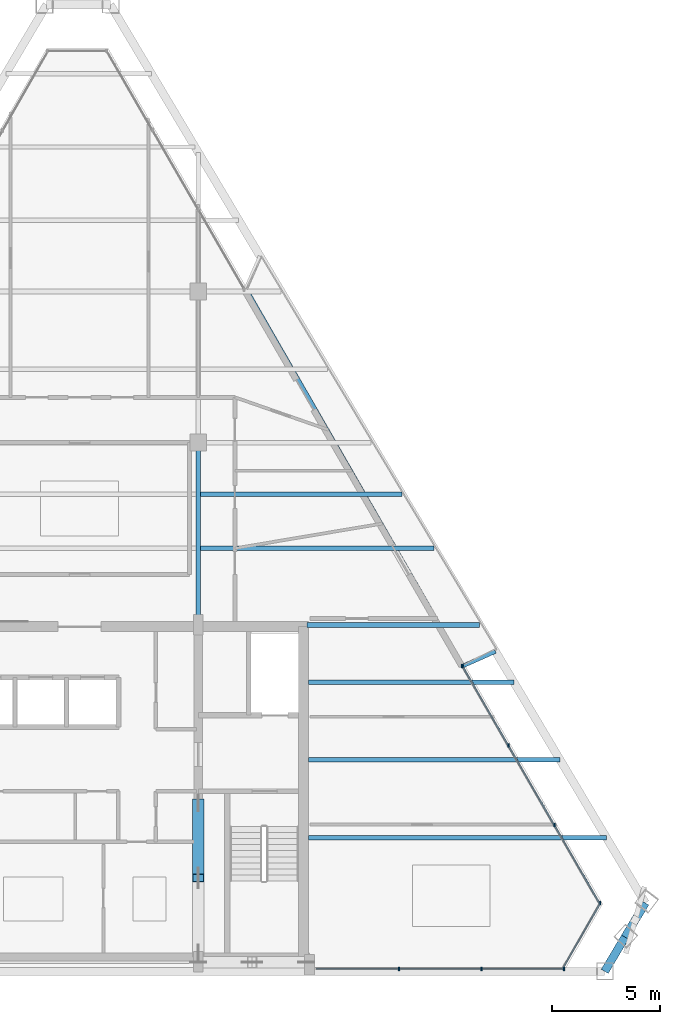
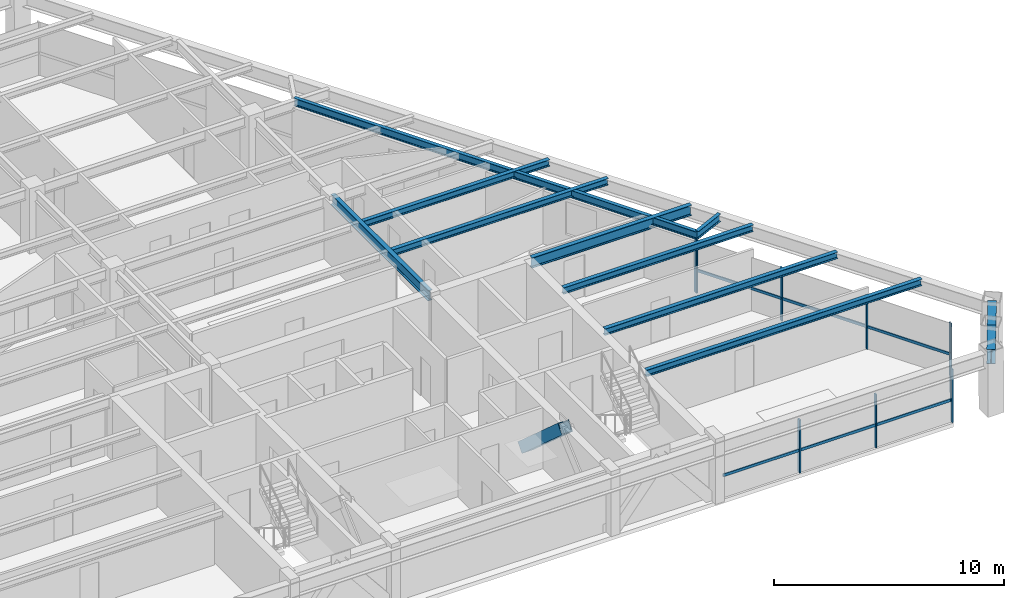
# One storey, part 5 of 13: 16 members, 11 beams, 3 elements without a shape of their own.
"""IFC4 building model written with IfcOpenShell, lengths in metres."""

from ifc_helpers import new_model, si_unit, direction, frame, origin, origin_2d, place, context, subcontext, project, spatial, rectangle, hollow_rectangle, i_section, extrude, source, transform, mapped, material, material_profile, profile_set, type_object, type_shapes, element, aggregate, save


model = new_model("IFC4")

# Units and contexts
model_context = context("Model", 3, precision=1e-05, world=origin(), true_north=direction((0.0, 1.0)))
body_context = subcontext(model_context, "Body", "Model", "MODEL_VIEW")
ifc_project = project(units=[si_unit("LENGTHUNIT", "METRE"), si_unit("AREAUNIT", "SQUARE_METRE"), si_unit("VOLUMEUNIT", "CUBIC_METRE"), si_unit("PLANEANGLEUNIT", "RADIAN"), si_unit("MASSUNIT", "GRAM", prefix="KILO")], contexts=[model_context])

# Site, building, storey
site_placement = place(None, origin())
site = spatial("IfcSite", under=ifc_project, at=site_placement, CompositionType="ELEMENT")
building_placement = place(site_placement, origin())
building = spatial("IfcBuilding", under=site, at=building_placement, Name="Varnakhor Terracotta Tower", CompositionType="ELEMENT")
storey_placement = place(building_placement, frame((0.0, 0.0, 293.699951171875)))
storey = spatial("IfcBuildingStorey", under=building, at=storey_placement, Name="L77", CompositionType="ELEMENT", Elevation=293.699951171875)

# Beam
ifc_material_1 = material(Name="Steel S355", Category="steel")
ifc_material_profile_1 = material_profile(ifc_material_1, i_section(OverallWidth=0.214111328125, OverallDepth=0.549072265625, WebThickness=0.014892578125, FlangeThickness=0.02392578125, FilletRadius=0.01806640625, at=origin_2d()), Name="W21X93")
ifc_profile_set_1 = profile_set([ifc_material_profile_1], Name="Steel S355")
beam_type_1 = type_object("IfcBeamType", Name="BM-W21X93", PredefinedType="BEAM", material=ifc_profile_set_1)
shared_shape_1 = source(origin(), body_context, "Body", "SweptSolid", [
    extrude(i_section(OverallWidth=0.214111328125, OverallDepth=0.549072265625, WebThickness=0.014892578125, FlangeThickness=0.02392578125, FilletRadius=0.01806640625, at=origin_2d()), origin(), (0.0, 0.0, 1.0), 8.449951171875),
])
type_shapes(beam_type_1, [shared_shape_1])
beam_1_placement = place(storey_placement, frame((5.5, 16.050048828125, 2.965576171875), z_axis=(0.0, 1.0, 0.0), x_axis=(-1.0, 0.0, 0.0)))
element("IfcBeam", 1, at=beam_1_placement, inside=storey, type_object=beam_type_1, Name="L77 Primary Girder NS1-E", PredefinedType="BEAM", context=body_context, shape_type="MappedRepresentation", body=[
    mapped(shared_shape_1, transform((0.0, 0.0, 0.0), scale=1.0)),
])

# Member
ifc_material_profile_2 = material_profile(ifc_material_1, hollow_rectangle(XDim=0.550048828125, YDim=0.550048828125, WallThickness=0.034912109375, at=origin_2d()), Name="HSS550X550X35")
ifc_profile_set_2 = profile_set([ifc_material_profile_2], Name="Steel S355")
member_type_1 = type_object("IfcMemberType", Name="MBR-MEGA-550", PredefinedType="BRACE", material=ifc_profile_set_2)
shared_shape_2 = source(origin(), body_context, "Body", "SweptSolid", [
    extrude(hollow_rectangle(XDim=0.550048828125, YDim=0.550048828125, WallThickness=0.034912109375, at=origin_2d()), origin(), (0.0, 0.0, 1.0), 4.650146484375),
])
member_1_placement = place(storey_placement, frame((5.5, 7.800048828125, 0.0), z_axis=(0.0, -0.74729054724, 0.664497432655), x_axis=(1.0, 0.0, 0.0)))
element("IfcMember", 2, at=member_1_placement, inside=storey, type_object=member_type_1, Name="L77 Core Coupled Brace CWEB", PredefinedType="BRACE", context=body_context, shape_type="MappedRepresentation", body=[
    mapped(shared_shape_2, transform((0.0, 0.0, 0.0), scale=1.0)),
])

# Beams
ifc_material_profile_3 = material_profile(ifc_material_1, i_section(OverallWidth=0.381103515625, OverallDepth=0.77294921875, WebThickness=0.01708984375, FlangeThickness=0.027099609375, FilletRadius=0.01806640625, at=origin_2d()), Name="W30X173")
ifc_profile_set_3 = profile_set([ifc_material_profile_3], Name="Steel S355")
beam_type_2 = type_object("IfcBeamType", Name="BM-W30X173", PredefinedType="BEAM", material=ifc_profile_set_3)
shared_shape_3 = source(origin(), body_context, "Body", "SweptSolid", [
    extrude(i_section(OverallWidth=0.381103515625, OverallDepth=0.77294921875, WebThickness=0.01708984375, FlangeThickness=0.027099609375, FilletRadius=0.01806640625, at=origin_2d()), origin(), (0.0, 0.0, 1.0), 1.8427734375),
])
beam_2_placement = place(storey_placement, frame((24.33349609375, 0.0, 2.853515625), z_axis=(0.5103397709, 0.859972859012, 0.0), x_axis=(-0.859972859012, 0.5103397709, 0.0)))
element("IfcBeam", 3, at=beam_2_placement, inside=storey, type_object=beam_type_2, Name="L77 Perimeter Spandrel 2", PredefinedType="BEAM", context=body_context, shape_type="MappedRepresentation", body=[
    mapped(shared_shape_3, transform((0.0, 0.0, 0.0), scale=1.0)),
])
shared_shape_4 = source(origin(), body_context, "Body", "SweptSolid", [
    extrude(i_section(OverallWidth=0.381103515625, OverallDepth=0.77294921875, WebThickness=0.01708984375, FlangeThickness=0.027099609375, FilletRadius=0.01806640625, at=origin_2d()), origin(), (0.0, 0.0, 1.0), 1.842529296875),
])
beam_3_placement = place(storey_placement, frame((25.27392578125, 1.584716796875, 2.853515625), z_axis=(0.510299927607, 0.859996502251, 0.0), x_axis=(-0.859996502251, 0.510299927607, 0.0)))
element("IfcBeam", 4, at=beam_3_placement, inside=storey, type_object=beam_type_2, Name="L77 Perimeter Spandrel 3", PredefinedType="BEAM", context=body_context, shape_type="MappedRepresentation", body=[
    mapped(shared_shape_4, transform((0.0, 0.0, 0.0), scale=1.0)),
])
ifc_material_profile_4 = material_profile(ifc_material_1, i_section(OverallWidth=0.179931640625, OverallDepth=0.39990234375, WebThickness=0.008544921875, FlangeThickness=0.013427734375, FilletRadius=0.01806640625, at=origin_2d()), Name="IPE400")
ifc_profile_set_4 = profile_set([ifc_material_profile_4], Name="Steel S355")
beam_type_3 = type_object("IfcBeamType", Name="JST-IPE400", PredefinedType="JOIST", material=ifc_profile_set_4)
shared_shape_5 = source(origin(), body_context, "Body", "SweptSolid", [
    extrude(i_section(OverallWidth=0.179931640625, OverallDepth=0.39990234375, WebThickness=0.008544921875, FlangeThickness=0.013427734375, FilletRadius=0.01806640625, at=origin_2d()), origin(), (0.0, 0.0, 1.0), 20.1669921875),
])
beam_4_placement = place(storey_placement, frame((17.7626953125, 14.149658203125, 3.0400390625), z_axis=(-0.498604857305, 0.866829392829, 0.0), x_axis=(-0.866829392829, -0.498604857305, 0.0)))
element("IfcBeam", 5, at=beam_4_placement, inside=storey, type_object=beam_type_3, Name="L77 Loggia Edge Beam 1", PredefinedType="JOIST", context=body_context, shape_type="MappedRepresentation", body=[
    mapped(shared_shape_5, transform((0.0, 0.0, 0.0), scale=1.0)),
])
shared_shape_6 = source(origin(), body_context, "Body", "SweptSolid", [
    extrude(i_section(OverallWidth=0.214111328125, OverallDepth=0.549072265625, WebThickness=0.014892578125, FlangeThickness=0.02392578125, FilletRadius=0.01806640625, at=origin_2d()), origin(), (0.0, 0.0, 1.0), 7.99267578125),
])
beam_5_placement = place(storey_placement, frame((10.550048828125, 16.050048828125, 2.965576171875), z_axis=(1.0, 0.0, 0.0), x_axis=(0.0, 1.0, 0.0)))
element("IfcBeam", 6, at=beam_5_placement, inside=storey, type_object=beam_type_1, Name="L77 Wing Girder E", PredefinedType="BEAM", context=body_context, shape_type="MappedRepresentation", body=[
    mapped(shared_shape_6, transform((0.0, 0.0, 0.0), scale=1.0)),
])
ifc_material_profile_5 = material_profile(ifc_material_1, i_section(OverallWidth=0.202880859375, OverallDepth=0.346923828125, WebThickness=0.0078125, FlangeThickness=0.013427734375, FilletRadius=0.01806640625, at=origin_2d()), Name="W14X43")
ifc_profile_set_5 = profile_set([ifc_material_profile_5], Name="Steel S355")
beam_type_4 = type_object("IfcBeamType", Name="JST-W14X43", PredefinedType="JOIST", material=ifc_profile_set_5)
shared_shape_7 = source(origin(), body_context, "Body", "SweptSolid", [
    extrude(i_section(OverallWidth=0.202880859375, OverallDepth=0.346923828125, WebThickness=0.0078125, FlangeThickness=0.013427734375, FilletRadius=0.01806640625, at=origin_2d()), origin(), (0.0, 0.0, 1.0), 13.80908203125),
])
beam_6_placement = place(storey_placement, frame((10.60009765625, 6.199951171875, 3.066650390625), z_axis=(1.0, 0.0, 0.0), x_axis=(0.0, 1.0, 0.0)))
element("IfcBeam", 7, at=beam_6_placement, inside=storey, type_object=beam_type_4, Name="L77 Floor Joist E1", PredefinedType="JOIST", context=body_context, shape_type="MappedRepresentation", body=[
    mapped(shared_shape_7, transform((0.0, 0.0, 0.0), scale=1.0)),
])
shared_shape_8 = source(origin(), body_context, "Body", "SweptSolid", [
    extrude(i_section(OverallWidth=0.202880859375, OverallDepth=0.346923828125, WebThickness=0.0078125, FlangeThickness=0.013427734375, FilletRadius=0.01806640625, at=origin_2d()), origin(), (0.0, 0.0, 1.0), 11.6650390625),
])
beam_7_placement = place(storey_placement, frame((10.60009765625, 9.800048828125, 3.066650390625), z_axis=(1.0, 0.0, 0.0), x_axis=(0.0, 1.0, 0.0)))
element("IfcBeam", 8, at=beam_7_placement, inside=storey, type_object=beam_type_4, Name="L77 Floor Joist E2", PredefinedType="JOIST", context=body_context, shape_type="MappedRepresentation", body=[
    mapped(shared_shape_8, transform((0.0, 0.0, 0.0), scale=1.0)),
])
shared_shape_9 = source(origin(), body_context, "Body", "SweptSolid", [
    extrude(i_section(OverallWidth=0.202880859375, OverallDepth=0.346923828125, WebThickness=0.0078125, FlangeThickness=0.013427734375, FilletRadius=0.01806640625, at=origin_2d()), origin(), (0.0, 0.0, 1.0), 9.52099609375),
])
beam_8_placement = place(storey_placement, frame((10.60009765625, 13.39990234375, 3.066650390625), z_axis=(1.0, 0.0, 0.0), x_axis=(0.0, 1.0, 0.0)))
element("IfcBeam", 9, at=beam_8_placement, inside=storey, type_object=beam_type_4, Name="L77 Floor Joist E3", PredefinedType="JOIST", context=body_context, shape_type="MappedRepresentation", body=[
    mapped(shared_shape_9, transform((0.0, 0.0, 0.0), scale=1.0)),
])
shared_shape_10 = source(origin(), body_context, "Body", "SweptSolid", [
    extrude(i_section(OverallWidth=0.202880859375, OverallDepth=0.346923828125, WebThickness=0.0078125, FlangeThickness=0.013427734375, FilletRadius=0.01806640625, at=origin_2d()), origin(), (0.0, 0.0, 1.0), 10.8251953125),
])
beam_9_placement = place(storey_placement, frame((5.60302734375, 19.60009765625, 3.066650390625), z_axis=(1.0, 0.0, 0.0), x_axis=(0.0, 1.0, 0.0)))
element("IfcBeam", 10, at=beam_9_placement, inside=storey, type_object=beam_type_4, Name="L77 Composite Floor Joist 4-3", PredefinedType="JOIST", context=body_context, shape_type="MappedRepresentation", body=[
    mapped(shared_shape_10, transform((0.0, 0.0, 0.0), scale=1.0)),
])
shared_shape_11 = source(origin(), body_context, "Body", "SweptSolid", [
    extrude(i_section(OverallWidth=0.202880859375, OverallDepth=0.346923828125, WebThickness=0.0078125, FlangeThickness=0.013427734375, FilletRadius=0.01806640625, at=origin_2d()), origin(), (0.0, 0.0, 1.0), 9.33642578125),
])
beam_10_placement = place(storey_placement, frame((5.60302734375, 22.10009765625, 3.066650390625), z_axis=(1.0, 0.0, 0.0), x_axis=(0.0, 1.0, 0.0)))
element("IfcBeam", 11, at=beam_10_placement, inside=storey, type_object=beam_type_4, Name="L77 Composite Floor Joist 5-3", PredefinedType="JOIST", context=body_context, shape_type="MappedRepresentation", body=[
    mapped(shared_shape_11, transform((0.0, 0.0, 0.0), scale=1.0)),
])

# Curtain wall, members
ifc_material_2 = material(Name="Anodised Aluminium Curtain Wall System", Category="aluminium")
curtain_wall_type = type_object("IfcCurtainWallType", Name="CW-SYS-HOTEL-LOGGIA", PredefinedType="NOTDEFINED", material=ifc_material_2)
curtain_wall_1_placement = place(storey_placement, origin())
curtain_wall_1 = element("IfcCurtainWall", 12, at=curtain_wall_1_placement, inside=storey, type_object=curtain_wall_type, Name="L77 E Facet Curtain Wall 2", PredefinedType="NOTDEFINED")
ifc_material_3 = material(Name="Anodised Aluminium 6063-T6", Category="aluminium")
ifc_material_profile_6 = material_profile(ifc_material_3, rectangle(XDim=0.06494140625, YDim=0.159912109375, at=origin_2d()), Name="ALU MULLION 65x160")
ifc_profile_set_6 = profile_set([ifc_material_profile_6], Name="Anodised Aluminium 6063-T6")
member_type_2 = type_object("IfcMemberType", Name="CWM-04", PredefinedType="MULLION", material=ifc_profile_set_6)
shared_shape_12 = source(origin(), body_context, "Body", "SweptSolid", [
    extrude(rectangle(XDim=0.06494140625, YDim=0.159912109375, at=origin_2d()), origin(), (0.0, 0.0, 1.0), 2.820068359375),
])
type_shapes(member_type_2, [shared_shape_12])
member_2_placement = place(storey_placement, frame((17.740966796875, 14.1376953125, 0.0), z_axis=(0.0, 0.0, 1.0), x_axis=(1.0, 0.0, 0.0)))
member_2 = element("IfcMember", 13, at=member_2_placement, type_object=member_type_2, Name="L77 E Facet Curtain Wall 2 Mullion 1", PredefinedType="MULLION", context=body_context, shape_type="MappedRepresentation", body=[
    mapped(shared_shape_12, transform((0.0, 0.0, 0.0), scale=1.0)),
])
member_3_placement = place(storey_placement, frame((19.869873046875, 10.45556640625, 0.0), z_axis=(0.0, 0.0, 1.0), x_axis=(1.0, 0.0, 0.0)))
member_3 = element("IfcMember", 14, at=member_3_placement, type_object=member_type_2, Name="L77 E Facet Curtain Wall 2 Mullion 2", PredefinedType="MULLION", context=body_context, shape_type="MappedRepresentation", body=[
    mapped(shared_shape_12, transform((0.0, 0.0, 0.0), scale=1.0)),
])
member_4_placement = place(storey_placement, frame((21.99853515625, 6.773681640625, 0.0), z_axis=(0.0, 0.0, 1.0), x_axis=(1.0, 0.0, 0.0)))
member_4 = element("IfcMember", 15, at=member_4_placement, type_object=member_type_2, Name="L77 E Facet Curtain Wall 2 Mullion 3", PredefinedType="MULLION", context=body_context, shape_type="MappedRepresentation", body=[
    mapped(shared_shape_12, transform((0.0, 0.0, 0.0), scale=1.0)),
])
member_5_placement = place(storey_placement, frame((17.708740234375, 14.153564453125, 0.0), z_axis=(0.0, 0.0, 1.0), x_axis=(1.0, 0.0, 0.0)))
member_5 = element("IfcMember", 16, at=member_5_placement, type_object=member_type_2, Name="L77 E Loggia Jamb Closure Mullion 2", PredefinedType="MULLION", context=body_context, shape_type="MappedRepresentation", body=[
    mapped(shared_shape_12, transform((0.0, 0.0, 0.0), scale=1.0)),
])

# Curtain wall, member
curtain_wall_2_placement = place(storey_placement, origin())
curtain_wall_2 = element("IfcCurtainWall", 17, at=curtain_wall_2_placement, inside=storey, type_object=curtain_wall_type, Name="L77 Facet Curtain Wall 4", PredefinedType="NOTDEFINED")
member_6_placement = place(storey_placement, frame((24.127197265625, 3.159423828125, 0.0), z_axis=(0.0, 0.0, 1.0), x_axis=(1.0, 0.0, 0.0)))
member_6 = element("IfcMember", 18, at=member_6_placement, type_object=member_type_2, Name="L77 Facet Curtain Wall 4 Mullion 1", PredefinedType="MULLION", context=body_context, shape_type="MappedRepresentation", body=[
    mapped(shared_shape_12, transform((0.0, 0.0, 0.0), scale=1.0)),
])

# Curtain wall, members
curtain_wall_3_placement = place(storey_placement, origin())
curtain_wall_3 = element("IfcCurtainWall", 19, at=curtain_wall_3_placement, inside=storey, type_object=curtain_wall_type, Name="L77 South Wing Curtain Wall SSE", PredefinedType="NOTDEFINED")
member_7_placement = place(storey_placement, frame((22.443115234375, 0.1201171875, 0.0), z_axis=(0.0, 0.0, 1.0), x_axis=(1.0, 0.0, 0.0)))
member_7 = element("IfcMember", 20, at=member_7_placement, type_object=member_type_2, Name="L77 South Wing Curtain Wall SSE Mullion 1", PredefinedType="MULLION", context=body_context, shape_type="MappedRepresentation", body=[
    mapped(shared_shape_12, transform((0.0, 0.0, 0.0), scale=1.0)),
])
member_8_placement = place(storey_placement, frame((18.618896484375, 0.1201171875, 0.0), z_axis=(0.0, 0.0, 1.0), x_axis=(1.0, 0.0, 0.0)))
member_8 = element("IfcMember", 21, at=member_8_placement, type_object=member_type_2, Name="L77 South Wing Curtain Wall SSE Mullion 2", PredefinedType="MULLION", context=body_context, shape_type="MappedRepresentation", body=[
    mapped(shared_shape_12, transform((0.0, 0.0, 0.0), scale=1.0)),
])
member_9_placement = place(storey_placement, frame((14.79443359375, 0.1201171875, 0.0), z_axis=(0.0, 0.0, 1.0), x_axis=(1.0, 0.0, 0.0)))
member_9 = element("IfcMember", 22, at=member_9_placement, type_object=member_type_2, Name="L77 South Wing Curtain Wall SSE Mullion 3", PredefinedType="MULLION", context=body_context, shape_type="MappedRepresentation", body=[
    mapped(shared_shape_12, transform((0.0, 0.0, 0.0), scale=1.0)),
])

# Member
ifc_material_profile_7 = material_profile(ifc_material_3, rectangle(XDim=0.06494140625, YDim=0.14501953125, at=origin_2d()), Name="ALU TRANSOM 65x145")
ifc_profile_set_7 = profile_set([ifc_material_profile_7], Name="Anodised Aluminium 6063-T6")
member_type_3 = type_object("IfcMemberType", Name="CWT-04", PredefinedType="USERDEFINED", material=ifc_profile_set_7)
shared_shape_13 = source(origin(), body_context, "Body", "SweptSolid", [
    extrude(rectangle(XDim=0.06494140625, YDim=0.14501953125, at=origin_2d()), origin(), (0.0, 0.0, 1.0), 4.253173828125),
])
member_10_placement = place(storey_placement, frame((17.740966796875, 14.1376953125, 1.1845703125), z_axis=(0.500533870709, -0.865716953902, 0.0), x_axis=(0.865716953902, 0.500533870709, 0.0)))
member_10 = element("IfcMember", 23, at=member_10_placement, type_object=member_type_3, Name="L77 E Facet Curtain Wall 2 Transom 1", ObjectType="TRANSOM", PredefinedType="USERDEFINED", context=body_context, shape_type="MappedRepresentation", body=[
    mapped(shared_shape_13, transform((0.0, 0.0, 0.0), scale=1.0)),
])

member_11_placement = place(storey_placement, frame((21.99853515625, 6.773681640625, 1.1845703125), z_axis=(0.500558744635, -0.865702572001, 0.0), x_axis=(0.865702572001, 0.500558744635, 0.0)))
member_11 = element("IfcMember", 24, at=member_11_placement, type_object=member_type_3, Name="L77 E Facet Curtain Wall 2 Transom 3", ObjectType="TRANSOM", PredefinedType="USERDEFINED", context=body_context, shape_type="MappedRepresentation", body=[
    mapped(shared_shape_13, transform((0.0, 0.0, 0.0), scale=1.0)),
])

shared_shape_14 = source(origin(), body_context, "Body", "SweptSolid", [
    extrude(rectangle(XDim=0.06494140625, YDim=0.14501953125, at=origin_2d()), origin(), (0.0, 0.0, 1.0), 4.2529296875),
])
member_12_placement = place(storey_placement, frame((19.869873046875, 10.45556640625, 1.1845703125), z_axis=(0.500515722229, -0.865727446603, 0.0), x_axis=(0.865727446603, 0.500515722229, 0.0)))
member_12 = element("IfcMember", 25, at=member_12_placement, type_object=member_type_3, Name="L77 E Facet Curtain Wall 2 Transom 2", ObjectType="TRANSOM", PredefinedType="USERDEFINED", context=body_context, shape_type="MappedRepresentation", body=[
    mapped(shared_shape_14, transform((0.0, 0.0, 0.0), scale=1.0)),
])

aggregate(curtain_wall_1, [member_2, member_10, member_3, member_12, member_4, member_11, member_5])

shared_shape_15 = source(origin(), body_context, "Body", "SweptSolid", [
    extrude(rectangle(XDim=0.06494140625, YDim=0.14501953125, at=origin_2d()), origin(), (0.0, 0.0, 1.0), 3.54345703125),
])
member_13_placement = place(storey_placement, frame((24.127197265625, 3.159423828125, 1.1845703125), z_axis=(-0.497577684129, -0.867419418884, 0.0), x_axis=(0.867419418884, -0.497577684129, 0.0)))
member_13 = element("IfcMember", 26, at=member_13_placement, type_object=member_type_3, Name="L77 Facet Curtain Wall 4 Transom 1", ObjectType="TRANSOM", PredefinedType="USERDEFINED", context=body_context, shape_type="MappedRepresentation", body=[
    mapped(shared_shape_15, transform((0.0, 0.0, 0.0), scale=1.0)),
])

aggregate(curtain_wall_2, [member_6, member_13])

shared_shape_16 = source(origin(), body_context, "Body", "SweptSolid", [
    extrude(rectangle(XDim=0.06494140625, YDim=0.14501953125, at=origin_2d()), origin(), (0.0, 0.0, 1.0), 3.82421875),
])
member_14_placement = place(storey_placement, frame((22.443115234375, 0.1201171875, 1.1845703125), z_axis=(-1.0, 0.0, 0.0), x_axis=(0.0, -1.0, 0.0)))
member_14 = element("IfcMember", 27, at=member_14_placement, type_object=member_type_3, Name="L77 South Wing Curtain Wall SSE Transom 1", ObjectType="TRANSOM", PredefinedType="USERDEFINED", context=body_context, shape_type="MappedRepresentation", body=[
    mapped(shared_shape_16, transform((0.0, 0.0, 0.0), scale=1.0)),
])

shared_shape_17 = source(origin(), body_context, "Body", "SweptSolid", [
    extrude(rectangle(XDim=0.06494140625, YDim=0.14501953125, at=origin_2d()), origin(), (0.0, 0.0, 1.0), 3.824462890625),
])
member_15_placement = place(storey_placement, frame((18.618896484375, 0.1201171875, 1.1845703125), z_axis=(-1.0, 0.0, 0.0), x_axis=(0.0, -1.0, 0.0)))
member_15 = element("IfcMember", 28, at=member_15_placement, type_object=member_type_3, Name="L77 South Wing Curtain Wall SSE Transom 2", ObjectType="TRANSOM", PredefinedType="USERDEFINED", context=body_context, shape_type="MappedRepresentation", body=[
    mapped(shared_shape_17, transform((0.0, 0.0, 0.0), scale=1.0)),
])

member_16_placement = place(storey_placement, frame((14.79443359375, 0.1201171875, 1.1845703125), z_axis=(-1.0, 0.0, 0.0), x_axis=(0.0, -1.0, 0.0)))
member_16 = element("IfcMember", 29, at=member_16_placement, type_object=member_type_3, Name="L77 South Wing Curtain Wall SSE Transom 3", ObjectType="TRANSOM", PredefinedType="USERDEFINED", context=body_context, shape_type="MappedRepresentation", body=[
    mapped(shared_shape_17, transform((0.0, 0.0, 0.0), scale=1.0)),
])

aggregate(curtain_wall_3, [member_7, member_14, member_8, member_15, member_9, member_16])

# Beam
shared_shape_18 = source(origin(), body_context, "Body", "SweptSolid", [
    extrude(i_section(OverallWidth=0.179931640625, OverallDepth=0.39990234375, WebThickness=0.008544921875, FlangeThickness=0.013427734375, FilletRadius=0.01806640625, at=origin_2d()), origin(), (0.0, 0.0, 1.0), 1.654052734375),
])
beam_11_placement = place(storey_placement, frame((17.7626953125, 14.149658203125, 3.0400390625), z_axis=(0.91311629499, 0.407699192817, 0.0), x_axis=(-0.407699192817, 0.91311629499, 0.0)))
element("IfcBeam", 30, at=beam_11_placement, inside=storey, type_object=beam_type_3, Name="L78 E Loggia Tie Beam 2", PredefinedType="JOIST", context=body_context, shape_type="MappedRepresentation", body=[
    mapped(shared_shape_18, transform((0.0, 0.0, 0.0), scale=1.0)),
])

save(model, "model.ifc")
